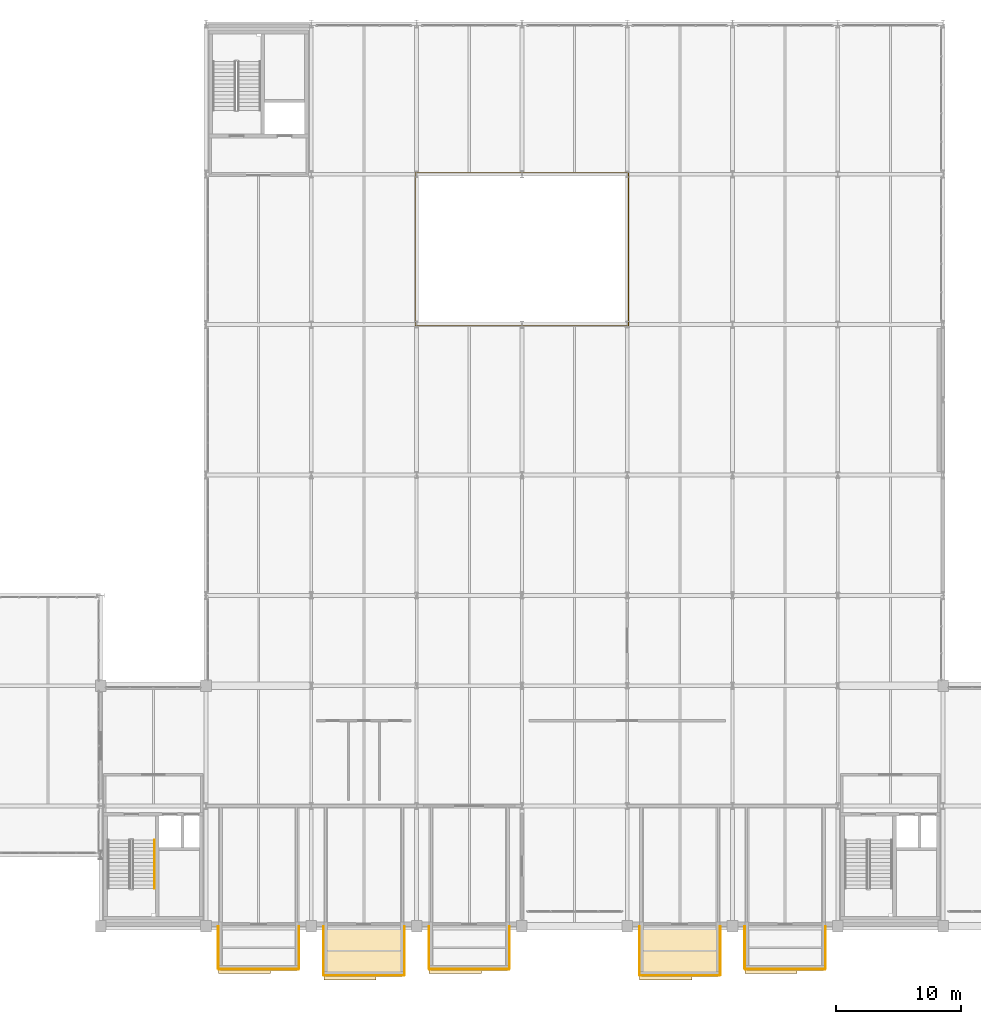
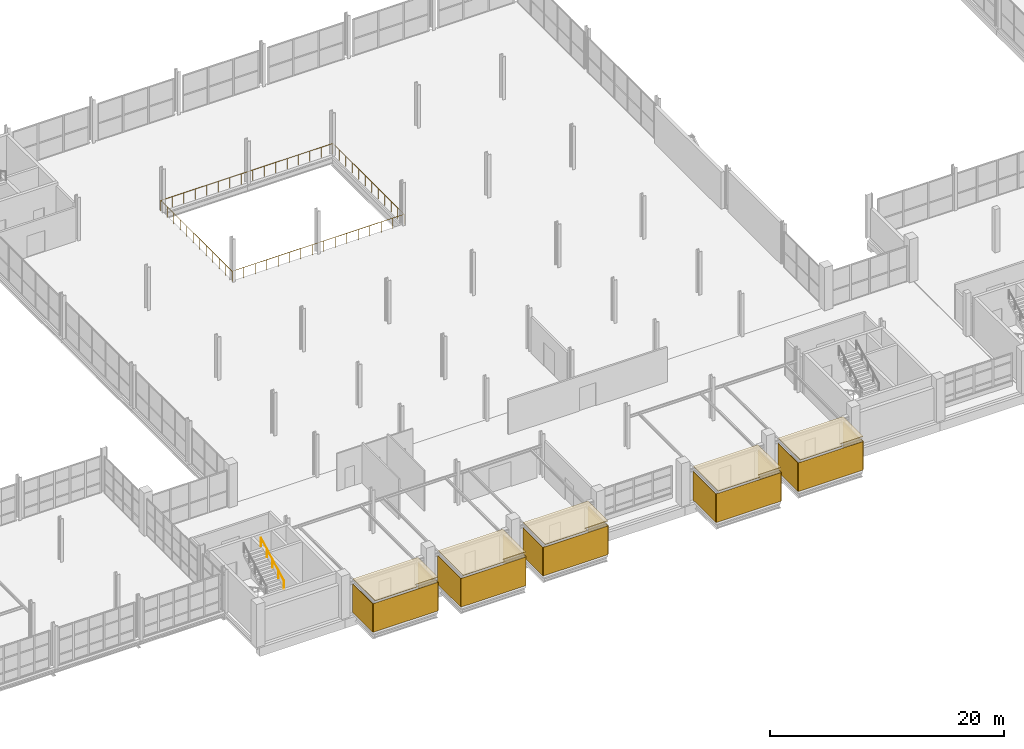
# One storey, part 103 of 109: 20 coverings, 2 railings.
"""IFC4 building model written with IfcOpenShell, lengths in metres."""

from ifc_helpers import new_model, si_unit, direction, frame, frame_2d, origin, origin_2d, place, context, subcontext, project, spatial, polyline, rectangle, circle, outline, extrude, material, layer, layer_set, type_object, element, save


model = new_model("IFC4")

# Units and contexts
model_context = context("Model", 3, precision=1e-05, world=origin(), true_north=direction((0.0, 1.0)))
body_context = subcontext(model_context, "Body", "Model", "MODEL_VIEW")
ifc_project = project(units=[si_unit("LENGTHUNIT", "METRE"), si_unit("AREAUNIT", "SQUARE_METRE"), si_unit("VOLUMEUNIT", "CUBIC_METRE"), si_unit("PLANEANGLEUNIT", "RADIAN"), si_unit("MASSUNIT", "GRAM", prefix="KILO")], contexts=[model_context])

# Site, building, storey
site_placement = place(None, origin())
site = spatial("IfcSite", under=ifc_project, at=site_placement, CompositionType="ELEMENT")
building_placement = place(site_placement, origin())
building = spatial("IfcBuilding", under=site, at=building_placement, Name="Veltarok Museum of Natural Sciences", CompositionType="ELEMENT")
storey_placement = place(building_placement, frame((0.0, 0.0, 17.39990234375)))
storey = spatial("IfcBuildingStorey", under=building, at=storey_placement, Name="L03", CompositionType="ELEMENT", Elevation=17.39990234375)

# Coverings
ifc_material_1 = material(Name="Corrugated zinc cladding")
ifc_layer_1 = layer(ifc_material_1, 0.044921875)
ifc_layer_set_1 = layer_set([ifc_layer_1], Name="Corrugated zinc cladding")
covering_type_1 = type_object("IfcCoveringType", Name="Corrugated Titanium-Zinc Rainscreen Cladding 45", PredefinedType="CLADDING", material=ifc_layer_set_1)
covering_1_placement = place(storey_placement, frame((41.0, -3.422119140625, 0.0), z_axis=(0.0, 0.0, 1.0), x_axis=(1.0, 0.0, 0.0)))
element("IfcCovering", 1, at=covering_1_placement, inside=storey, type_object=covering_type_1, Name="Corrugated Zinc Cladding DB-13-S", PredefinedType="CLADDING", context=body_context, shape_type="SweptSolid", body=[
    extrude(rectangle(XDim=6.39990234375, YDim=0.044921875, at=frame_2d((3.199951171875, 0.0))), origin(), (0.0, 0.0, 1.0), 2.989990234375),
])
for number, where, z_axis, x_axis, name in (
    (2, (40.97802734375, 0.0, 0.0), (0.0, 0.0, 1.0), (0.0, -1.0, 0.0), "Corrugated Zinc Cladding DB-13-W"),
    (3, (47.422119140625, -3.39990234375, 0.0), (0.0, 0.0, 1.0), (0.0, 1.0, 0.0), "Corrugated Zinc Cladding DB-13-E"),
):
    element("IfcCovering", number, at=place(storey_placement, frame(where, z_axis=z_axis, x_axis=x_axis)), inside=storey, type_object=covering_type_1, Name=name, PredefinedType="CLADDING", context=body_context, shape_type="SweptSolid", body=[
        extrude(rectangle(XDim=3.39990234375, YDim=0.044921875, at=frame_2d((1.699951171875, 0.0))), origin(), (0.0, 0.0, 1.0), 2.989990234375),
    ])
covering_2_placement = place(storey_placement, frame((49.39990234375, -3.922119140625, 0.0), z_axis=(0.0, 0.0, 1.0), x_axis=(1.0, 0.0, 0.0)))
element("IfcCovering", 4, at=covering_2_placement, inside=storey, type_object=covering_type_1, Name="Corrugated Zinc Cladding DB-14-S", PredefinedType="CLADDING", context=body_context, shape_type="SweptSolid", body=[
    extrude(rectangle(XDim=6.400146484375, YDim=0.044921875, at=frame_2d((3.2001953125, 0.0))), origin(), (0.0, 0.0, 1.0), 2.989990234375),
])
for number, where, z_axis, x_axis, name in (
    (5, (49.3779296875, 0.0, 0.0), (0.0, 0.0, 1.0), (0.0, -1.0, 0.0), "Corrugated Zinc Cladding DB-14-W"),
    (6, (55.822021484375, -3.89990234375, 0.0), (0.0, 0.0, 1.0), (0.0, 1.0, 0.0), "Corrugated Zinc Cladding DB-14-E"),
):
    element("IfcCovering", number, at=place(storey_placement, frame(where, z_axis=z_axis, x_axis=x_axis)), inside=storey, type_object=covering_type_1, Name=name, PredefinedType="CLADDING", context=body_context, shape_type="SweptSolid", body=[
        extrude(rectangle(XDim=3.89990234375, YDim=0.044921875, at=frame_2d((1.949951171875, 0.0))), origin(), (0.0, 0.0, 1.0), 2.989990234375),
    ])
covering_3_placement = place(storey_placement, frame((57.800048828125, -3.422119140625, 0.0), z_axis=(0.0, 0.0, 1.0), x_axis=(1.0, 0.0, 0.0)))
element("IfcCovering", 7, at=covering_3_placement, inside=storey, type_object=covering_type_1, Name="Corrugated Zinc Cladding DB-15-S", PredefinedType="CLADDING", context=body_context, shape_type="SweptSolid", body=[
    extrude(rectangle(XDim=6.39990234375, YDim=0.044921875, at=frame_2d((3.199951171875, 0.0))), origin(), (0.0, 0.0, 1.0), 2.989990234375),
])
for number, where, z_axis, x_axis, name in (
    (8, (57.778076171875, 0.0, 0.0), (0.0, 0.0, 1.0), (0.0, -1.0, 0.0), "Corrugated Zinc Cladding DB-15-W"),
    (9, (64.221923828125, -3.39990234375, 0.0), (0.0, 0.0, 1.0), (0.0, 1.0, 0.0), "Corrugated Zinc Cladding DB-15-E"),
):
    element("IfcCovering", number, at=place(storey_placement, frame(where, z_axis=z_axis, x_axis=x_axis)), inside=storey, type_object=covering_type_1, Name=name, PredefinedType="CLADDING", context=body_context, shape_type="SweptSolid", body=[
        extrude(rectangle(XDim=3.39990234375, YDim=0.044921875, at=frame_2d((1.699951171875, 0.0))), origin(), (0.0, 0.0, 1.0), 2.989990234375),
    ])
covering_4_placement = place(storey_placement, frame((74.60009765625, -3.922119140625, 0.0), z_axis=(0.0, 0.0, 1.0), x_axis=(1.0, 0.0, 0.0)))
element("IfcCovering", 10, at=covering_4_placement, inside=storey, type_object=covering_type_1, Name="Corrugated Zinc Cladding DB-16-S", PredefinedType="CLADDING", context=body_context, shape_type="SweptSolid", body=[
    extrude(rectangle(XDim=6.39990234375, YDim=0.044921875, at=frame_2d((3.199951171875, 0.0))), origin(), (0.0, 0.0, 1.0), 2.989990234375),
])
for number, where, z_axis, x_axis, name in (
    (11, (74.577880859375, 0.0, 0.0), (0.0, 0.0, 1.0), (0.0, -1.0, 0.0), "Corrugated Zinc Cladding DB-16-W"),
    (12, (81.02197265625, -3.89990234375, 0.0), (0.0, 0.0, 1.0), (0.0, 1.0, 0.0), "Corrugated Zinc Cladding DB-16-E"),
):
    element("IfcCovering", number, at=place(storey_placement, frame(where, z_axis=z_axis, x_axis=x_axis)), inside=storey, type_object=covering_type_1, Name=name, PredefinedType="CLADDING", context=body_context, shape_type="SweptSolid", body=[
        extrude(rectangle(XDim=3.89990234375, YDim=0.044921875, at=frame_2d((1.949951171875, 0.0))), origin(), (0.0, 0.0, 1.0), 2.989990234375),
    ])
covering_5_placement = place(storey_placement, frame((83.0, -3.422119140625, 0.0), z_axis=(0.0, 0.0, 1.0), x_axis=(1.0, 0.0, 0.0)))
element("IfcCovering", 13, at=covering_5_placement, inside=storey, type_object=covering_type_1, Name="Corrugated Zinc Cladding DB-17-S", PredefinedType="CLADDING", context=body_context, shape_type="SweptSolid", body=[
    extrude(rectangle(XDim=6.39990234375, YDim=0.044921875, at=frame_2d((3.199951171875, 0.0))), origin(), (0.0, 0.0, 1.0), 2.989990234375),
])
for number, where, z_axis, x_axis, name in (
    (14, (82.97802734375, 0.0, 0.0), (0.0, 0.0, 1.0), (0.0, -1.0, 0.0), "Corrugated Zinc Cladding DB-17-W"),
    (15, (89.422119140625, -3.39990234375, 0.0), (0.0, 0.0, 1.0), (0.0, 1.0, 0.0), "Corrugated Zinc Cladding DB-17-E"),
):
    element("IfcCovering", number, at=place(storey_placement, frame(where, z_axis=z_axis, x_axis=x_axis)), inside=storey, type_object=covering_type_1, Name=name, PredefinedType="CLADDING", context=body_context, shape_type="SweptSolid", body=[
        extrude(rectangle(XDim=3.39990234375, YDim=0.044921875, at=frame_2d((1.699951171875, 0.0))), origin(), (0.0, 0.0, 1.0), 2.989990234375),
    ])
ifc_material_2 = material(Name="EPDM waterproofing membrane")
ifc_layer_2 = layer(ifc_material_2, 0.06005859375)
ifc_layer_set_2 = layer_set([ifc_layer_2], Name="EPDM waterproofing membrane")
covering_type_2 = type_object("IfcCoveringType", Name="EPDM Waterproofing and Acoustic Roof Membrane 60", PredefinedType="ROOFING", material=ifc_layer_set_2)
covering_6_placement = place(storey_placement, frame((0.0, 0.0, 3.4501953125)))
element("IfcCovering", 16, at=covering_6_placement, inside=storey, type_object=covering_type_2, Name="Cabinet Box Roof Membrane DB-13", PredefinedType="ROOFING", context=body_context, shape_type="SweptSolid", body=[
    extrude(outline(polyline([(41.0, -3.780029296875), (45.159912109375, -3.780029296875), (45.159912109375, -3.39990234375), (47.39990234375, -3.39990234375), (47.39990234375, 0.0), (41.0, 0.0), (41.0, -3.780029296875)])), origin(), (0.0, 0.0, 1.0), 0.059814453125),
])
covering_7_placement = place(storey_placement, frame((0.0, 0.0, 3.4501953125)))
element("IfcCovering", 17, at=covering_7_placement, inside=storey, type_object=covering_type_2, Name="Cabinet Box Roof Membrane DB-14", PredefinedType="ROOFING", context=body_context, shape_type="SweptSolid", body=[
    extrude(outline(polyline([(49.39990234375, -4.280029296875), (53.56005859375, -4.280029296875), (53.56005859375, -3.89990234375), (55.800048828125, -3.89990234375), (55.800048828125, 0.0), (49.39990234375, 0.0), (49.39990234375, -4.280029296875)])), origin(), (0.0, 0.0, 1.0), 0.059814453125),
])
covering_8_placement = place(storey_placement, frame((0.0, 0.0, 3.4501953125)))
element("IfcCovering", 18, at=covering_8_placement, inside=storey, type_object=covering_type_2, Name="Cabinet Box Roof Membrane DB-15", PredefinedType="ROOFING", context=body_context, shape_type="SweptSolid", body=[
    extrude(outline(polyline([(57.800048828125, -3.780029296875), (61.9599609375, -3.780029296875), (61.9599609375, -3.39990234375), (64.199951171875, -3.39990234375), (64.199951171875, 0.0), (57.800048828125, 0.0), (57.800048828125, -3.780029296875)])), origin(), (0.0, 0.0, 1.0), 0.059814453125),
])
covering_9_placement = place(storey_placement, frame((0.0, 0.0, 3.4501953125)))
element("IfcCovering", 19, at=covering_9_placement, inside=storey, type_object=covering_type_2, Name="Cabinet Box Roof Membrane DB-16", PredefinedType="ROOFING", context=body_context, shape_type="SweptSolid", body=[
    extrude(outline(polyline([(74.60009765625, -4.280029296875), (78.760009765625, -4.280029296875), (78.760009765625, -3.89990234375), (81.0, -3.89990234375), (81.0, 0.0), (74.60009765625, 0.0), (74.60009765625, -4.280029296875)])), origin(), (0.0, 0.0, 1.0), 0.059814453125),
])
covering_10_placement = place(storey_placement, frame((0.0, 0.0, 3.4501953125)))
element("IfcCovering", 20, at=covering_10_placement, inside=storey, type_object=covering_type_2, Name="Cabinet Box Roof Membrane DB-17", PredefinedType="ROOFING", context=body_context, shape_type="SweptSolid", body=[
    extrude(outline(polyline([(83.0, -3.780029296875), (87.159912109375, -3.780029296875), (87.159912109375, -3.39990234375), (89.39990234375, -3.39990234375), (89.39990234375, 0.0), (83.0, 0.0), (83.0, -3.780029296875)])), origin(), (0.0, 0.0, 1.0), 0.059814453125),
])

# Railings
ifc_material_3 = material(Name="Steel S355J2", Category="steel")
railing_type_1 = type_object("IfcRailingType", Name="Interior Atrium and Stairwell Guardrail 1100", PredefinedType="GUARDRAIL", material=ifc_material_3)
railing_1_placement = place(storey_placement, frame((56.699951171875, 47.89990234375, 0.0)))
element("IfcRailing", 21, at=railing_1_placement, inside=storey, type_object=railing_type_1, Name="Central Atrium Guardrail L03-1", PredefinedType="GUARDRAIL", context=body_context, shape_type="SweptSolid", body=[
    extrude(circle(Radius=0.02392578125, at=origin_2d()), frame((0.0, 0.0, 1.076171875), z_axis=(1.0, 0.0, 0.0), x_axis=(0.0, 1.0, 0.0)), (0.0, 0.0, 1.0), 17.0),
    extrude(circle(Radius=0.02392578125, at=origin_2d()), frame((17.0, 0.0, 1.076171875), z_axis=(0.0, 1.0, 0.0), x_axis=(-1.0, 0.0, 0.0)), (0.0, 0.0, 1.0), 12.2001953125),
    extrude(circle(Radius=0.02392578125, at=origin_2d()), frame((17.0, 12.2001953125, 1.076171875), z_axis=(-1.0, 0.0, 0.0), x_axis=(0.0, -1.0, 0.0)), (0.0, 0.0, 1.0), 17.0),
    extrude(circle(Radius=0.02392578125, at=origin_2d()), frame((0.0, 12.2001953125, 1.076171875), z_axis=(0.0, -1.0, 0.0), x_axis=(1.0, 0.0, 0.0)), (0.0, 0.0, 1.0), 12.2001953125),
    extrude(circle(Radius=0.02099609375, at=origin_2d()), origin(), (0.0, 0.0, 1.0), 1.052001953125),
    extrude(circle(Radius=0.02099609375, at=origin_2d()), frame((1.13330078125, 0.0, 0.0)), (0.0, 0.0, 1.0), 1.052001953125),
    extrude(circle(Radius=0.02099609375, at=origin_2d()), frame((2.2666015625, 0.0, 0.0)), (0.0, 0.0, 1.0), 1.052001953125),
    extrude(circle(Radius=0.02099609375, at=origin_2d()), frame((3.39990234375, 0.0, 0.0)), (0.0, 0.0, 1.0), 1.052001953125),
    extrude(circle(Radius=0.02099609375, at=origin_2d()), frame((4.533447265625, 0.0, 0.0)), (0.0, 0.0, 1.0), 1.052001953125),
    extrude(circle(Radius=0.02099609375, at=origin_2d()), frame((5.666748046875, 0.0, 0.0)), (0.0, 0.0, 1.0), 1.052001953125),
    extrude(circle(Radius=0.02099609375, at=origin_2d()), frame((6.800048828125, 0.0, 0.0)), (0.0, 0.0, 1.0), 1.052001953125),
    extrude(circle(Radius=0.02099609375, at=origin_2d()), frame((7.933349609375, 0.0, 0.0)), (0.0, 0.0, 1.0), 1.052001953125),
    extrude(circle(Radius=0.02099609375, at=origin_2d()), frame((9.066650390625, 0.0, 0.0)), (0.0, 0.0, 1.0), 1.052001953125),
    extrude(circle(Radius=0.02099609375, at=origin_2d()), frame((10.199951171875, 0.0, 0.0)), (0.0, 0.0, 1.0), 1.052001953125),
    extrude(circle(Radius=0.02099609375, at=origin_2d()), frame((11.333251953125, 0.0, 0.0)), (0.0, 0.0, 1.0), 1.052001953125),
    extrude(circle(Radius=0.02099609375, at=origin_2d()), frame((12.466552734375, 0.0, 0.0)), (0.0, 0.0, 1.0), 1.052001953125),
    extrude(circle(Radius=0.02099609375, at=origin_2d()), frame((13.60009765625, 0.0, 0.0)), (0.0, 0.0, 1.0), 1.052001953125),
    extrude(circle(Radius=0.02099609375, at=origin_2d()), frame((14.7333984375, 0.0, 0.0)), (0.0, 0.0, 1.0), 1.052001953125),
    extrude(circle(Radius=0.02099609375, at=origin_2d()), frame((15.86669921875, 0.0, 0.0)), (0.0, 0.0, 1.0), 1.052001953125),
    extrude(circle(Radius=0.02099609375, at=origin_2d()), frame((17.0, 0.0, 0.0)), (0.0, 0.0, 1.0), 1.052001953125),
    extrude(circle(Radius=0.02099609375, at=origin_2d()), frame((17.0, 1.109130859375, 0.0)), (0.0, 0.0, 1.0), 1.052001953125),
    extrude(circle(Radius=0.02099609375, at=origin_2d()), frame((17.0, 2.21826171875, 0.0)), (0.0, 0.0, 1.0), 1.052001953125),
    extrude(circle(Radius=0.02099609375, at=origin_2d()), frame((17.0, 3.327392578125, 0.0)), (0.0, 0.0, 1.0), 1.052001953125),
    extrude(circle(Radius=0.02099609375, at=origin_2d()), frame((17.0, 4.4365234375, 0.0)), (0.0, 0.0, 1.0), 1.052001953125),
    extrude(circle(Radius=0.02099609375, at=origin_2d()), frame((17.0, 5.545654296875, 0.0)), (0.0, 0.0, 1.0), 1.052001953125),
    extrude(circle(Radius=0.02099609375, at=origin_2d()), frame((17.0, 6.654541015625, 0.0)), (0.0, 0.0, 1.0), 1.052001953125),
    extrude(circle(Radius=0.02099609375, at=origin_2d()), frame((17.0, 7.763671875, 0.0)), (0.0, 0.0, 1.0), 1.052001953125),
    extrude(circle(Radius=0.02099609375, at=origin_2d()), frame((17.0, 8.872802734375, 0.0)), (0.0, 0.0, 1.0), 1.052001953125),
    extrude(circle(Radius=0.02099609375, at=origin_2d()), frame((17.0, 9.98193359375, 0.0)), (0.0, 0.0, 1.0), 1.052001953125),
    extrude(circle(Radius=0.02099609375, at=origin_2d()), frame((17.0, 11.091064453125, 0.0)), (0.0, 0.0, 1.0), 1.052001953125),
    extrude(circle(Radius=0.02099609375, at=origin_2d()), frame((17.0, 12.2001953125, 0.0)), (0.0, 0.0, 1.0), 1.052001953125),
    extrude(circle(Radius=0.02099609375, at=origin_2d()), frame((15.86669921875, 12.2001953125, 0.0)), (0.0, 0.0, 1.0), 1.052001953125),
    extrude(circle(Radius=0.02099609375, at=origin_2d()), frame((14.7333984375, 12.2001953125, 0.0)), (0.0, 0.0, 1.0), 1.052001953125),
    extrude(circle(Radius=0.02099609375, at=origin_2d()), frame((13.60009765625, 12.2001953125, 0.0)), (0.0, 0.0, 1.0), 1.052001953125),
    extrude(circle(Radius=0.02099609375, at=origin_2d()), frame((12.466552734375, 12.2001953125, 0.0)), (0.0, 0.0, 1.0), 1.052001953125),
    extrude(circle(Radius=0.02099609375, at=origin_2d()), frame((11.333251953125, 12.2001953125, 0.0)), (0.0, 0.0, 1.0), 1.052001953125),
    extrude(circle(Radius=0.02099609375, at=origin_2d()), frame((10.199951171875, 12.2001953125, 0.0)), (0.0, 0.0, 1.0), 1.052001953125),
    extrude(circle(Radius=0.02099609375, at=origin_2d()), frame((9.066650390625, 12.2001953125, 0.0)), (0.0, 0.0, 1.0), 1.052001953125),
    extrude(circle(Radius=0.02099609375, at=origin_2d()), frame((7.933349609375, 12.2001953125, 0.0)), (0.0, 0.0, 1.0), 1.052001953125),
    extrude(circle(Radius=0.02099609375, at=origin_2d()), frame((6.800048828125, 12.2001953125, 0.0)), (0.0, 0.0, 1.0), 1.052001953125),
    extrude(circle(Radius=0.02099609375, at=origin_2d()), frame((5.666748046875, 12.2001953125, 0.0)), (0.0, 0.0, 1.0), 1.052001953125),
    extrude(circle(Radius=0.02099609375, at=origin_2d()), frame((4.533447265625, 12.2001953125, 0.0)), (0.0, 0.0, 1.0), 1.052001953125),
    extrude(circle(Radius=0.02099609375, at=origin_2d()), frame((3.39990234375, 12.2001953125, 0.0)), (0.0, 0.0, 1.0), 1.052001953125),
    extrude(circle(Radius=0.02099609375, at=origin_2d()), frame((2.2666015625, 12.2001953125, 0.0)), (0.0, 0.0, 1.0), 1.052001953125),
    extrude(circle(Radius=0.02099609375, at=origin_2d()), frame((1.13330078125, 12.2001953125, 0.0)), (0.0, 0.0, 1.0), 1.052001953125),
    extrude(circle(Radius=0.02099609375, at=origin_2d()), frame((0.0, 12.2001953125, 0.0)), (0.0, 0.0, 1.0), 1.052001953125),
    extrude(circle(Radius=0.02099609375, at=origin_2d()), frame((0.0, 11.091064453125, 0.0)), (0.0, 0.0, 1.0), 1.052001953125),
    extrude(circle(Radius=0.02099609375, at=origin_2d()), frame((0.0, 9.98193359375, 0.0)), (0.0, 0.0, 1.0), 1.052001953125),
    extrude(circle(Radius=0.02099609375, at=origin_2d()), frame((0.0, 8.872802734375, 0.0)), (0.0, 0.0, 1.0), 1.052001953125),
    extrude(circle(Radius=0.02099609375, at=origin_2d()), frame((0.0, 7.763671875, 0.0)), (0.0, 0.0, 1.0), 1.052001953125),
    extrude(circle(Radius=0.02099609375, at=origin_2d()), frame((0.0, 6.654541015625, 0.0)), (0.0, 0.0, 1.0), 1.052001953125),
    extrude(circle(Radius=0.02099609375, at=origin_2d()), frame((0.0, 5.545654296875, 0.0)), (0.0, 0.0, 1.0), 1.052001953125),
    extrude(circle(Radius=0.02099609375, at=origin_2d()), frame((0.0, 4.4365234375, 0.0)), (0.0, 0.0, 1.0), 1.052001953125),
    extrude(circle(Radius=0.02099609375, at=origin_2d()), frame((0.0, 3.327392578125, 0.0)), (0.0, 0.0, 1.0), 1.052001953125),
    extrude(circle(Radius=0.02099609375, at=origin_2d()), frame((0.0, 2.21826171875, 0.0)), (0.0, 0.0, 1.0), 1.052001953125),
    extrude(circle(Radius=0.02099609375, at=origin_2d()), frame((0.0, 1.109130859375, 0.0)), (0.0, 0.0, 1.0), 1.052001953125),
])
railing_type_2 = type_object("IfcRailingType", Name="Stair Flight Tubular Steel Handrail 900", PredefinedType="HANDRAIL", material=ifc_material_3)
railing_2_placement = place(storey_placement, frame((35.89990234375, 3.0, 2.410888671875)))
element("IfcRailing", 22, at=railing_2_placement, inside=storey, type_object=railing_type_2, Name="Stair Handrail ST-01-L03-F2R", PredefinedType="HANDRAIL", context=body_context, shape_type="SweptSolid", body=[
    extrude(circle(Radius=0.02392578125, at=origin_2d()), frame((0.0, 0.0, 0.8759765625), z_axis=(0.0, 0.881491454809, 0.472199973632), x_axis=(-1.0, 0.0, 0.0)), (0.0, 0.0, 1.0), 4.42431640625),
    extrude(circle(Radius=0.02099609375, at=origin_2d()), origin(), (0.0, 0.0, 1.0), 0.851806640625),
    extrude(circle(Radius=0.02099609375, at=origin_2d()), frame((0.0, 0.97509765625, 0.522216796875)), (0.0, 0.0, 1.0), 0.851806640625),
    extrude(circle(Radius=0.02099609375, at=origin_2d()), frame((0.0, 1.949951171875, 1.04443359375)), (0.0, 0.0, 1.0), 0.851806640625),
    extrude(circle(Radius=0.02099609375, at=origin_2d()), frame((0.0, 2.9248046875, 1.56689453125)), (0.0, 0.0, 1.0), 0.851806640625),
    extrude(circle(Radius=0.02099609375, at=origin_2d()), frame((0.0, 3.89990234375, 2.089111328125)), (0.0, 0.0, 1.0), 0.851806640625),
])

save(model, "model.ifc")
